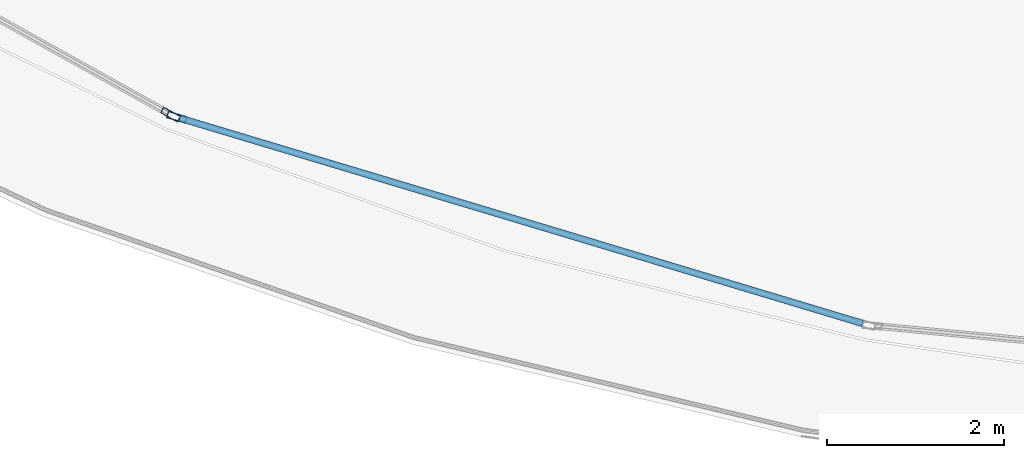
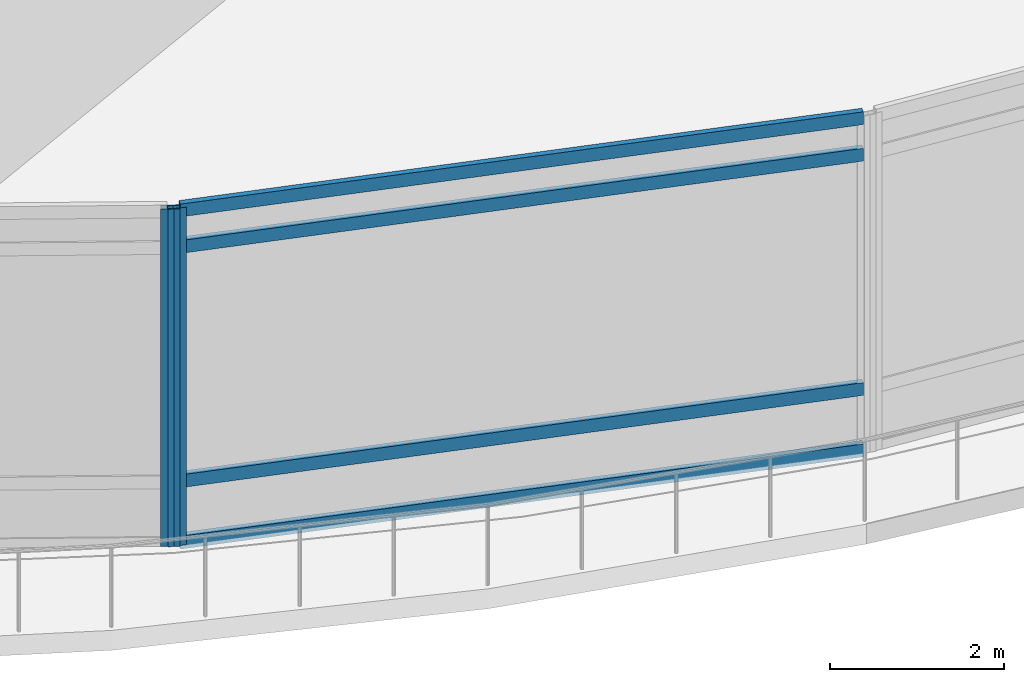
# One storey, part 3 of 34: 6 members, 2 elements without a shape of their own.
"""IFC4 building model written with IfcOpenShell, lengths in metres."""

from ifc_helpers import new_model, si_unit, direction, frame, origin, origin_2d, place, context, subcontext, project, spatial, hollow_rectangle, extrude, material, layer, layer_set, material_profile, profile_set, type_object, element, aggregate, save


model = new_model("IFC4")

# Units and contexts
model_context = context("Model", 3, precision=1e-05, world=origin(), true_north=direction((0.0, 1.0)))
body_context = subcontext(model_context, "Body", "Model", "MODEL_VIEW")
ifc_project = project(units=[si_unit("LENGTHUNIT", "METRE"), si_unit("AREAUNIT", "SQUARE_METRE"), si_unit("VOLUMEUNIT", "CUBIC_METRE"), si_unit("PLANEANGLEUNIT", "RADIAN"), si_unit("MASSUNIT", "GRAM", prefix="KILO")], contexts=[model_context])

# Site, building, storey
site_placement = place(None, origin())
site = spatial("IfcSite", under=ifc_project, at=site_placement, CompositionType="ELEMENT")
building_placement = place(site_placement, origin())
building = spatial("IfcBuilding", under=site, at=building_placement, Name="Nuhasar Tower", CompositionType="ELEMENT")
storey_placement = place(building_placement, frame((0.0, 0.0, 16.0)))
storey = spatial("IfcBuildingStorey", under=building, at=storey_placement, Name="L03", CompositionType="ELEMENT", Elevation=16.0)

# Curtain wall, member
ifc_material = material(Name="Aluminium 6063-T6", Category="aluminium")
ifc_layer = layer(ifc_material, 0.219970703125)
ifc_layer_set = layer_set([ifc_layer], Name="Aluminium 6063-T6")
curtain_wall_type = type_object("IfcCurtainWallType", Name="CW-PODIUM", PredefinedType="NOTDEFINED", material=ifc_layer_set)
curtain_wall_1_placement = place(storey_placement, origin())
curtain_wall_1 = element("IfcCurtainWall", 1, at=curtain_wall_1_placement, inside=storey, type_object=curtain_wall_type, Name="L03 Podium Curtain Wall Bay 16", PredefinedType="NOTDEFINED")
ifc_material_profile_1 = material_profile(ifc_material, hollow_rectangle(XDim=0.074951171875, YDim=0.219970703125, WallThickness=0.0048828125, at=origin_2d()), Name="CWM-1")
ifc_profile_set_1 = profile_set([ifc_material_profile_1], Name="Aluminium 6063-T6")
member_type_1 = type_object("IfcMemberType", Name="CW-MUL-S1", PredefinedType="MULLION", material=ifc_profile_set_1)
member_1_placement = place(storey_placement, frame((22.647216796875, 6.30224609375, 0.0), z_axis=(0.0, 0.0, 1.0), x_axis=(0.486575351992, 0.873638613406, 0.0)))
member_1 = element("IfcMember", 2, at=member_1_placement, type_object=member_type_1, Name="CW-P1 mullion 2", PredefinedType="MULLION", context=body_context, shape_type="SweptSolid", body=[
    extrude(hollow_rectangle(XDim=0.074951171875, YDim=0.219970703125, WallThickness=0.0048828125, at=origin_2d()), origin(), (0.0, 0.0, 1.0), 4.739990234375),
])
aggregate(curtain_wall_1, [member_1])

# Curtain wall, members
curtain_wall_2_placement = place(storey_placement, origin())
curtain_wall_2 = element("IfcCurtainWall", 3, at=curtain_wall_2_placement, inside=storey, type_object=curtain_wall_type, Name="L03 Podium Curtain Wall Bay 17", PredefinedType="NOTDEFINED")
member_2_placement = place(storey_placement, frame((22.7158203125, 6.273193359375, 0.0), z_axis=(0.0, 0.0, 1.0), x_axis=(0.287950508783, 0.957645291583, 0.0)))
member_2 = element("IfcMember", 4, at=member_2_placement, type_object=member_type_1, Name="CW-P1 mullion 1", PredefinedType="MULLION", context=body_context, shape_type="SweptSolid", body=[
    extrude(hollow_rectangle(XDim=0.074951171875, YDim=0.219970703125, WallThickness=0.0048828125, at=origin_2d()), origin(), (0.0, 0.0, 1.0), 4.739990234375),
])
ifc_material_profile_2 = material_profile(ifc_material, hollow_rectangle(XDim=0.074951171875, YDim=0.179931640625, WallThickness=0.00439453125, at=origin_2d()), Name="CWT-1")
ifc_profile_set_2 = profile_set([ifc_material_profile_2], Name="Aluminium 6063-T6")
member_type_2 = type_object("IfcMemberType", Name="CW-TRN-S1", PredefinedType="USERDEFINED", material=ifc_profile_set_2)
member_3_placement = place(storey_placement, frame((22.751708984375, 6.262451171875, 0.03759765625), z_axis=(0.95764124766, -0.287963957432, 0.0), x_axis=(0.287963957432, 0.95764124766, 0.0)))
member_3 = element("IfcMember", 5, at=member_3_placement, type_object=member_type_2, Name="CW-P1 transom 1.1", ObjectType="TRANSOM", PredefinedType="USERDEFINED", context=body_context, shape_type="SweptSolid", body=[
    extrude(hollow_rectangle(XDim=0.074951171875, YDim=0.179931640625, WallThickness=0.00439453125, at=origin_2d()), origin(), (0.0, 0.0, 1.0), 8.0703125),
])
member_4_placement = place(storey_placement, frame((22.751708984375, 6.262451171875, 0.89990234375), z_axis=(0.95764124766, -0.287963957432, 0.0), x_axis=(0.287963957432, 0.95764124766, 0.0)))
member_4 = element("IfcMember", 6, at=member_4_placement, type_object=member_type_2, Name="CW-P1 transom 1.2", ObjectType="TRANSOM", PredefinedType="USERDEFINED", context=body_context, shape_type="SweptSolid", body=[
    extrude(hollow_rectangle(XDim=0.074951171875, YDim=0.179931640625, WallThickness=0.00439453125, at=origin_2d()), origin(), (0.0, 0.0, 1.0), 8.0703125),
])
member_5_placement = place(storey_placement, frame((22.751708984375, 6.262451171875, 4.18994140625), z_axis=(0.95764124766, -0.287963957432, 0.0), x_axis=(0.287963957432, 0.95764124766, 0.0)))
member_5 = element("IfcMember", 7, at=member_5_placement, type_object=member_type_2, Name="CW-P1 transom 1.3", ObjectType="TRANSOM", PredefinedType="USERDEFINED", context=body_context, shape_type="SweptSolid", body=[
    extrude(hollow_rectangle(XDim=0.074951171875, YDim=0.179931640625, WallThickness=0.00439453125, at=origin_2d()), origin(), (0.0, 0.0, 1.0), 8.0703125),
])
member_6_placement = place(storey_placement, frame((22.751708984375, 6.262451171875, 4.702392578125), z_axis=(0.95764124766, -0.287963957432, 0.0), x_axis=(0.287963957432, 0.95764124766, 0.0)))
member_6 = element("IfcMember", 8, at=member_6_placement, type_object=member_type_2, Name="CW-P1 transom 1.4", ObjectType="TRANSOM", PredefinedType="USERDEFINED", context=body_context, shape_type="SweptSolid", body=[
    extrude(hollow_rectangle(XDim=0.074951171875, YDim=0.179931640625, WallThickness=0.00439453125, at=origin_2d()), origin(), (0.0, 0.0, 1.0), 8.0703125),
])
aggregate(curtain_wall_2, [member_2, member_3, member_4, member_5, member_6])

save(model, "model.ifc")
